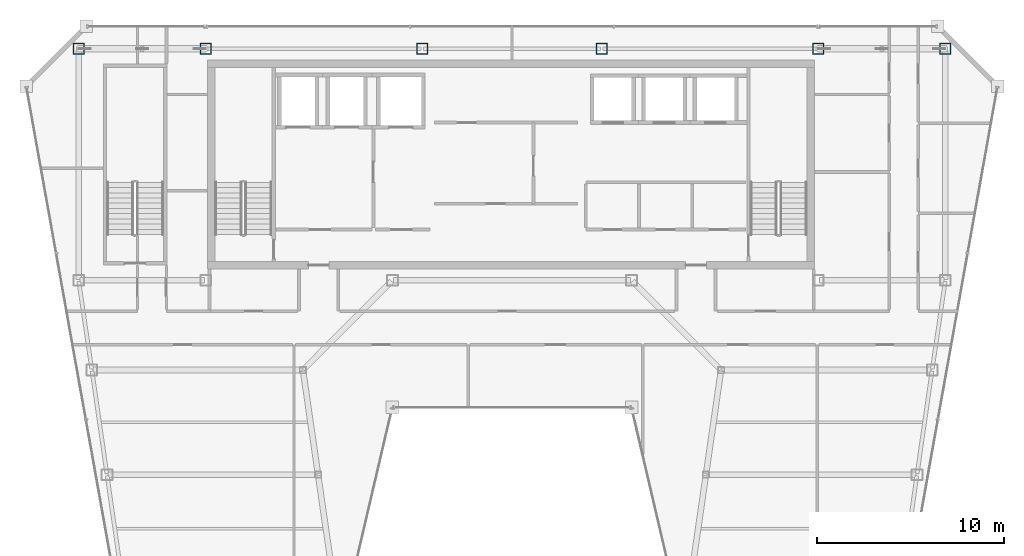
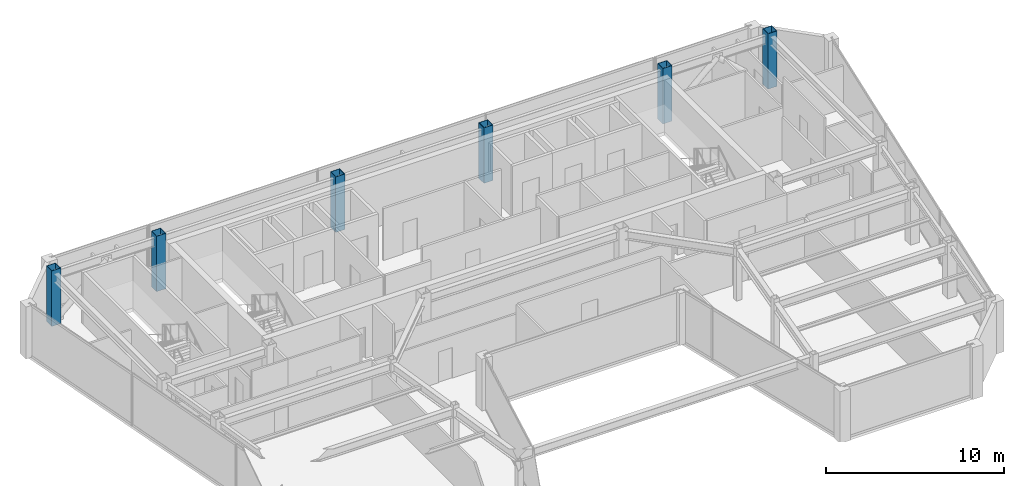
# One storey, part 2 of 32: 6 columns.
"""IFC4 building model written with IfcOpenShell, lengths in metres."""

import ifcopenshell
import ifcopenshell.guid

model = None  # the IFC model being written
_history = None  # IfcOwnerHistory: only IFC2X3 demands one
_inside = {}  # id of a spatial element -> (the spatial element, [elements in it])
_under = {}  # id of a project, library or spatial element -> (it, [spatial elements below it])
_declared = {}  # id of a project -> (the project, [libraries it declares])
_typed = {}  # id of a type object -> (the type object, [elements of that type])
_made_of = {}  # id of a material, layer set ... -> (it, [elements and type objects made of it])


def new_model(schema):
    """Start an empty IFC model of exactly this schema.

    Asked for "IFC4X3", IfcOpenShell would pick the latest addendum, in which some entities
    have other attributes; the version numbers below select the first issue.
    IFC2X3 requires an IfcOwnerHistory on every rooted entity: one is made here for all.
    """
    global model, _history
    if schema == "IFC4X3":
        model = ifcopenshell.file(schema_version=(4, 3, 0, 0))
    else:
        model = ifcopenshell.file(schema=schema)
    _inside.clear()
    _under.clear()
    _declared.clear()
    _typed.clear()
    _made_of.clear()
    _history = None
    if model.schema == "IFC2X3":
        org = make("IfcOrganization", Name="unknown")
        user = make(
            "IfcPersonAndOrganization",
            ThePerson=make("IfcPerson", FamilyName="unknown"),
            TheOrganization=org,
        )
        app = make(
            "IfcApplication",
            ApplicationDeveloper=org,
            Version="unknown",
            ApplicationFullName="unknown",
            ApplicationIdentifier="unknown",
        )
        _history = make(
            "IfcOwnerHistory",
            OwningUser=user,
            OwningApplication=app,
            ChangeAction="ADDED",
            CreationDate=0,
        )
    return model


def make(cls, **values):
    """One entity of the class cls with the attributes given. An attribute that is None is left unset."""
    return model.create_entity(
        cls, **{name: value for name, value in values.items() if value is not None}
    )


def rooted(cls, **values):
    """An entity with a GlobalId (a new one), such as an element, a storey or a relation."""
    return make(cls, GlobalId=ifcopenshell.guid.new(), OwnerHistory=_history, **values)


def si_unit(unit_type, name, prefix=None):
    """IfcSIUnit, for example si_unit("LENGTHUNIT", "METRE", prefix="MILLI")."""
    return make("IfcSIUnit", UnitType=unit_type, Prefix=prefix, Name=name)


def assignment(units):
    """IfcUnitAssignment: the units of a project."""
    return None if units is None else make("IfcUnitAssignment", Units=units)


def point(xyz):
    """IfcCartesianPoint."""
    return None if xyz is None else make("IfcCartesianPoint", Coordinates=xyz)


def direction(xyz):
    """IfcDirection."""
    return None if xyz is None else make("IfcDirection", DirectionRatios=xyz)


def frame(location, z_axis=None, x_axis=None):
    """IfcAxis2Placement3D, a coordinate frame: its origin and axes. An axis left out is left unset."""
    return make(
        "IfcAxis2Placement3D",
        Location=point(location),
        Axis=direction(z_axis),
        RefDirection=direction(x_axis),
    )


def frame_2d(location, x_axis=None):
    """IfcAxis2Placement2D, a coordinate frame in the plane: its origin and x axis."""
    return make(
        "IfcAxis2Placement2D", Location=point(location), RefDirection=direction(x_axis)
    )


def origin():
    """The frame at (0, 0, 0) with its axes left unset."""
    return frame((0.0, 0.0, 0.0))


def origin_2d():
    """The frame at (0, 0) in the plane with its x axis left unset."""
    return frame_2d((0.0, 0.0))


def place(relative_to, where):
    """IfcLocalPlacement: puts the frame where relative to a parent placement (None: the world)."""
    return make(
        "IfcLocalPlacement", PlacementRelTo=relative_to, RelativePlacement=where
    )


def context(
    kind, dimensions, precision=None, world=None, true_north=None, identifier=None
):
    """IfcGeometricRepresentationContext, for example the 3D "Model" context."""
    return make(
        "IfcGeometricRepresentationContext",
        ContextIdentifier=identifier,
        ContextType=kind,
        CoordinateSpaceDimension=dimensions,
        Precision=precision,
        WorldCoordinateSystem=world,
        TrueNorth=true_north,
    )


def subcontext(parent, identifier, kind, view, scale=None):
    """IfcGeometricRepresentationSubContext, for example "Body" below "Model"."""
    return make(
        "IfcGeometricRepresentationSubContext",
        ContextIdentifier=identifier,
        ContextType=kind,
        ParentContext=parent,
        TargetScale=scale,
        TargetView=view,
    )


def project(units=None, contexts=None):
    """IfcProject with its units and contexts."""
    return rooted(
        "IfcProject",
        Name="project",
        RepresentationContexts=contexts,
        UnitsInContext=assignment(units),
    )


def spatial(cls, under=None, at=None, **own):
    """A site, building, storey or space (cls), placed at a placement, below another one or the project."""
    s = rooted(cls, ObjectPlacement=at, **own)
    if under is not None:
        _under.setdefault(under.id(), (under, []))[1].append(s)
    return s


def profile(cls, at=None, kind="AREA", **sizes):
    """A parametric profile (cls). Its sizes go by their IFC names, for example OverallWidth=200.0."""
    return make(cls, ProfileType=kind, Position=at, **sizes)


def hollow_rectangle(**sizes):
    """IfcRectangleHollowProfileDef."""
    return profile("IfcRectangleHollowProfileDef", **sizes)


def extrude(swept, where, along, depth):
    """IfcExtrudedAreaSolid: the profile swept, set in the frame where, extruded along a direction by depth."""
    return make(
        "IfcExtrudedAreaSolid",
        SweptArea=swept,
        Position=where,
        ExtrudedDirection=direction(along),
        Depth=depth,
    )


def shape(context_of_items, identifier, shape_type, items):
    """IfcShapeRepresentation: the items that make up one representation, for example the "Body"."""
    return make(
        "IfcShapeRepresentation",
        ContextOfItems=context_of_items,
        RepresentationIdentifier=identifier,
        RepresentationType=shape_type,
        Items=items,
    )


def material(Name=None, Category=None):
    """IfcMaterial."""
    return make("IfcMaterial", Name=Name, Category=Category)


def material_profile(
    of_material, cross_section, Name=None, Category=None, Priority=None
):
    """IfcMaterialProfile: a cross section and its material."""
    return make(
        "IfcMaterialProfile",
        Name=Name,
        Material=of_material,
        Profile=cross_section,
        Priority=Priority,
        Category=Category,
    )


def profile_set(profiles, Name=None, composite=None):
    """IfcMaterialProfileSet."""
    return make(
        "IfcMaterialProfileSet",
        Name=Name,
        MaterialProfiles=profiles,
        CompositeProfile=composite,
    )


def made_of(thing, what):
    """Note that an element or type object is made of a material, layer set ...; save() writes the relation."""
    if what is not None:
        _made_of.setdefault(what.id(), (what, []))[1].append(thing)
    return thing


def type_object(cls, material=None, **own):
    """A type object (cls), such as IfcWallType, which elements share."""
    return made_of(rooted(cls, **own), material)


def element(
    cls,
    number,
    at=None,
    inside=None,
    cuts=None,
    type_object=None,
    material=None,
    context=None,
    identifier="Body",
    shape_type=None,
    held_by="IfcProductDefinitionShape",
    body=None,
    shapes=None,
    **own,
):
    """One element of the class cls, such as IfcWall. Its Tag is "e" and its number.

    at: its placement. inside: the storey or other place that contains it. cuts: it is an
    opening in that element (IfcRelVoidsElement). A single representation is given by context,
    identifier, shape_type and body (its items); several are given by shapes. held_by: the class
    of the entity that holds the representations. save() writes the other relations.
    """
    e = rooted(cls, Tag="e%d" % number, ObjectPlacement=at, **own)
    if body is not None:
        shapes = [shape(context, identifier, shape_type, body)]
    if shapes is not None:
        e.Representation = make(held_by, Representations=shapes)
    if inside is not None:
        _inside.setdefault(inside.id(), (inside, []))[1].append(e)
    if cuts is not None:
        rooted(
            "IfcRelVoidsElement", RelatingBuildingElement=cuts, RelatedOpeningElement=e
        )
    if type_object is not None:
        _typed.setdefault(type_object.id(), (type_object, []))[1].append(e)
    return made_of(e, material)


def aggregate(whole, parts):
    """IfcRelAggregates: a whole, such as a stair, and the parts it consists of."""
    return rooted("IfcRelAggregates", RelatingObject=whole, RelatedObjects=parts)


def save(model, path):
    """Write the relations noted so far, then the file.

    IfcRelAggregates (storeys below a building ...), IfcRelContainedInSpatialStructure (elements
    in a storey), IfcRelDefinesByType, IfcRelAssociatesMaterial and IfcRelDeclares: one each for
    every whole, place, type object, material and project.
    """
    for whole, parts in _under.values():
        aggregate(whole, parts)
    for where, things in _inside.values():
        rooted(
            "IfcRelContainedInSpatialStructure",
            RelatedElements=things,
            RelatingStructure=where,
        )
    for kind, things in _typed.values():
        rooted("IfcRelDefinesByType", RelatedObjects=things, RelatingType=kind)
    for what, things in _made_of.values():
        rooted("IfcRelAssociatesMaterial", RelatedObjects=things, RelatingMaterial=what)
    for by, libraries in _declared.values():
        rooted("IfcRelDeclares", RelatingContext=by, RelatedDefinitions=libraries)
    model.write(path)


model = new_model("IFC4")

# Units and contexts
model_context = context("Model", 3, precision=1e-05, world=origin(), true_north=direction((0.0, 1.0)))
body_context = subcontext(model_context, "Body", "Model", "MODEL_VIEW")
ifc_project = project(units=[si_unit("LENGTHUNIT", "METRE"), si_unit("AREAUNIT", "SQUARE_METRE"), si_unit("VOLUMEUNIT", "CUBIC_METRE"), si_unit("PLANEANGLEUNIT", "RADIAN"), si_unit("MASSUNIT", "GRAM", prefix="KILO")], contexts=[model_context])

# Site, building, storey
site_placement = place(None, origin())
site = spatial("IfcSite", under=ifc_project, at=site_placement, CompositionType="ELEMENT")
building_placement = place(site_placement, origin())
building = spatial("IfcBuilding", under=site, at=building_placement, Name="Saevonmaru Cultural Tower", CompositionType="ELEMENT")
storey_placement = place(building_placement, frame((0.0, 0.0, 268.60009765625)))
storey = spatial("IfcBuildingStorey", under=building, at=storey_placement, Name="L63", CompositionType="ELEMENT", Elevation=268.60009765625)

# Columns
ifc_material = material(Name="Steel SM355", Category="steel")
ifc_material_profile = material_profile(ifc_material, hollow_rectangle(XDim=0.60009765625, YDim=0.60009765625, WallThickness=0.028076171875, at=origin_2d()), Name="BOX-600x600x28")
ifc_profile_set = profile_set([ifc_material_profile], Name="Steel SM355")
column_type = type_object("IfcColumnType", Name="COL-BOX-600", PredefinedType="COLUMN", material=ifc_profile_set)
for number, where, z_axis, x_axis, name in (
    (1, (6.800048828125, 54.800048828125, 0.0), (0.0, 0.0, 1.0), (1.0, 0.0, 0.0), "L63 Column TC-N1N"),
    (2, (13.60009765625, 54.800048828125, 0.0), (0.0, 0.0, 1.0), (1.0, 0.0, 0.0), "L63 Column TC-N2N"),
    (3, (25.199951171875, 54.800048828125, 0.0), (0.0, 0.0, 1.0), (1.0, 0.0, 0.0), "L63 Column TC-N3N"),
    (4, (34.800048828125, 54.800048828125, 0.0), (0.0, 0.0, 1.0), (1.0, 0.0, 0.0), "L63 Column TC-N4N"),
    (5, (46.39990234375, 54.800048828125, 0.0), (0.0, 0.0, 1.0), (1.0, 0.0, 0.0), "L63 Column TC-N5N"),
    (6, (53.199951171875, 54.800048828125, 0.0), (0.0, 0.0, 1.0), (1.0, 0.0, 0.0), "L63 Column TC-N6N"),
):
    element("IfcColumn", number, at=place(storey_placement, frame(where, z_axis=z_axis, x_axis=x_axis)), inside=storey, type_object=column_type, Name=name, PredefinedType="COLUMN", context=body_context, shape_type="SweptSolid", body=[
        extrude(hollow_rectangle(XDim=0.60009765625, YDim=0.60009765625, WallThickness=0.028076171875, at=origin_2d()), origin(), (0.0, 0.0, 1.0), 3.7998046875),
    ])

save(model, "model.ifc")
